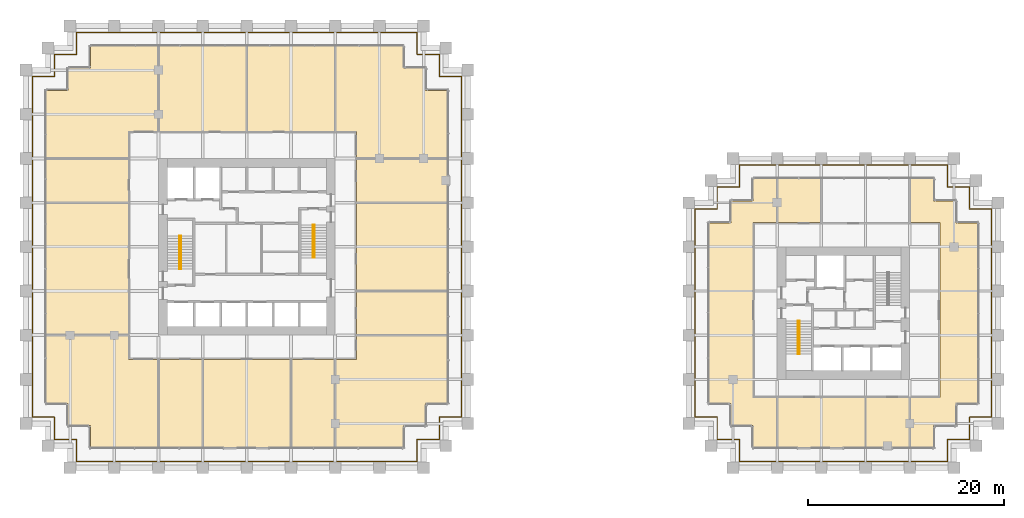
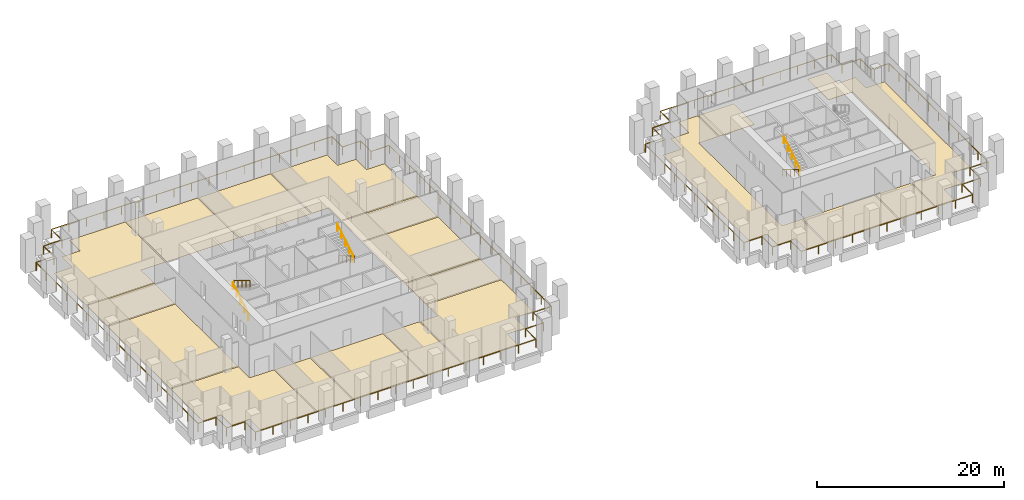
# One storey, part 35 of 36: 19 coverings, 8 railings.
"""IFC4 building model written with IfcOpenShell, lengths in metres."""

from ifc_helpers import new_model, si_unit, direction, frame, origin, origin_2d, place, context, subcontext, project, spatial, polyline, circle, outline, extrude, source, transform, mapped, material, layer, layer_set, type_object, element, save


model = new_model("IFC4")

# Units and contexts
model_context = context("Model", 3, precision=1e-05, world=origin(), true_north=direction((0.0, 1.0)))
body_context = subcontext(model_context, "Body", "Model", "MODEL_VIEW")
ifc_project = project(units=[si_unit("LENGTHUNIT", "METRE"), si_unit("AREAUNIT", "SQUARE_METRE"), si_unit("VOLUMEUNIT", "CUBIC_METRE"), si_unit("PLANEANGLEUNIT", "RADIAN"), si_unit("MASSUNIT", "GRAM", prefix="KILO")], contexts=[model_context])

# Site, building, storey
site_placement = place(None, origin())
site = spatial("IfcSite", under=ifc_project, at=site_placement, CompositionType="ELEMENT")
building_placement = place(site_placement, origin())
building = spatial("IfcBuilding", under=site, at=building_placement, Name="Altepetl Exchange Towers", CompositionType="ELEMENT")
storey_placement = place(building_placement, frame((0.0, 0.0, 29.800048828125)))
storey = spatial("IfcBuildingStorey", under=building, at=storey_placement, Name="L06", CompositionType="ELEMENT", Elevation=29.800048828125)

# Coverings
ifc_material_1 = material(Name="Carpet tile")
ifc_layer_1 = layer(ifc_material_1, 0.02001953125)
ifc_layer_set_1 = layer_set([ifc_layer_1], Name="Carpet tile")
covering_type_1 = type_object("IfcCoveringType", Name="Carpet tile floor", PredefinedType="FLOORING", material=ifc_layer_set_1)
covering_1_placement = place(storey_placement, origin())
element("IfcCovering", 1, at=covering_1_placement, inside=storey, type_object=covering_type_1, Name="Quiet room floor finish A06.03", PredefinedType="FLOORING", context=body_context, shape_type="SweptSolid", body=[
    extrude(outline(polyline([(44.9375, 29.0625), (44.9375, 38.03759765625), (40.5625, 38.03759765625), (40.5625, 29.0625), (44.9375, 29.0625)])), origin(), (0.0, 0.0, 1.0), 0.02001953125),
])
covering_2_placement = place(storey_placement, origin())
element("IfcCovering", 2, at=covering_2_placement, inside=storey, type_object=covering_type_1, Name="Pantry floor finish A06.05", PredefinedType="FLOORING", context=body_context, shape_type="SweptSolid", body=[
    extrude(outline(polyline([(58.4375, 29.0625), (58.4375, 38.03759765625), (54.0625, 38.03759765625), (54.0625, 29.0625), (58.4375, 29.0625)])), origin(), (0.0, 0.0, 1.0), 0.02001953125),
])
covering_3_placement = place(storey_placement, origin())
element("IfcCovering", 3, at=covering_3_placement, inside=storey, type_object=covering_type_1, Name="Open office floor finish A06.06", PredefinedType="FLOORING", context=body_context, shape_type="SweptSolid", body=[
    extrude(outline(polyline([(58.5625, 29.0625), (65.4375, 29.0625), (65.4375, 31.3125), (67.6875, 31.3125), (67.6875, 33.5625), (69.9375, 33.5625), (69.9375, 40.4375), (60.66259765625, 40.4375), (60.66259765625, 38.03759765625), (58.5625, 38.03759765625), (58.5625, 29.0625)])), origin(), (0.0, 0.0, 1.0), 0.02001953125),
])
covering_4_placement = place(storey_placement, origin())
element("IfcCovering", 4, at=covering_4_placement, inside=storey, type_object=covering_type_1, Name="Interview room floor finish A06.07", PredefinedType="FLOORING", context=body_context, shape_type="SweptSolid", body=[
    extrude(outline(polyline([(69.9375, 44.9375), (60.66259765625, 44.9375), (60.66259765625, 40.5625), (69.9375, 40.5625), (69.9375, 44.9375)])), origin(), (0.0, 0.0, 1.0), 0.02001953125),
])
covering_5_placement = place(storey_placement, origin())
element("IfcCovering", 5, at=covering_5_placement, inside=storey, type_object=covering_type_1, Name="Open office floor finish A06.11", PredefinedType="FLOORING", context=body_context, shape_type="SweptSolid", body=[
    extrude(outline(polyline([(49.5625, 69.9375), (49.5625, 61.262451171875), (58.4375, 61.262451171875), (58.4375, 69.9375), (49.5625, 69.9375)])), origin(), (0.0, 0.0, 1.0), 0.02001953125),
])
covering_6_placement = place(storey_placement, origin())
element("IfcCovering", 6, at=covering_6_placement, inside=storey, type_object=covering_type_1, Name="Meeting room floor finish A06.12", PredefinedType="FLOORING", context=body_context, shape_type="SweptSolid", body=[
    extrude(outline(polyline([(40.5625, 69.9375), (40.5625, 61.262451171875), (49.4375, 61.262451171875), (49.4375, 69.9375), (40.5625, 69.9375)])), origin(), (0.0, 0.0, 1.0), 0.02001953125),
])
covering_7_placement = place(storey_placement, origin())
element("IfcCovering", 7, at=covering_7_placement, inside=storey, type_object=covering_type_1, Name="Open office floor finish A06.13", PredefinedType="FLOORING", context=body_context, shape_type="SweptSolid", body=[
    extrude(outline(polyline([(33.5625, 67.6875), (31.3125, 67.6875), (31.3125, 65.4375), (29.0625, 65.4375), (29.0625, 58.5625), (37.4375, 58.5625), (37.4375, 61.262451171875), (40.4375, 61.262451171875), (40.4375, 69.9375), (33.5625, 69.9375), (33.5625, 67.6875)])), origin(), (0.0, 0.0, 1.0), 0.02001953125),
])
covering_8_placement = place(storey_placement, origin())
element("IfcCovering", 8, at=covering_8_placement, inside=storey, type_object=covering_type_1, Name="Open office floor finish B06.01", PredefinedType="FLOORING", context=body_context, shape_type="SweptSolid", body=[
    extrude(outline(polyline([(101.0625, 54.1875), (98.8125, 54.1875), (98.8125, 51.9375), (96.5625, 51.9375), (96.5625, 33.5625), (98.8125, 33.5625), (98.8125, 31.3125), (101.0625, 31.3125), (101.0625, 29.0625), (103.4375, 29.0625), (103.4375, 34.137451171875), (101.03759765625, 34.137451171875), (101.03759765625, 51.96240234375), (103.4375, 51.96240234375), (103.4375, 56.4375), (101.0625, 56.4375), (101.0625, 54.1875)])), origin(), (0.0, 0.0, 1.0), 0.02001953125),
])
covering_9_placement = place(storey_placement, origin())
element("IfcCovering", 9, at=covering_9_placement, inside=storey, type_object=covering_type_1, Name="Quiet room floor finish B06.03", PredefinedType="FLOORING", context=body_context, shape_type="SweptSolid", body=[
    extrude(outline(polyline([(116.9375, 29.0625), (116.9375, 34.137451171875), (112.5625, 34.137451171875), (112.5625, 29.0625), (116.9375, 29.0625)])), origin(), (0.0, 0.0, 1.0), 0.02001953125),
])
ifc_material_2 = material(Name="Calcium sulphate access floor panel")
ifc_layer_2 = layer(ifc_material_2, 0.0400390625)
ifc_layer_set_2 = layer_set([ifc_layer_2], Name="Calcium sulphate access floor panel")
covering_type_2 = type_object("IfcCoveringType", Name="Raised access floor panels", PredefinedType="FLOORING", material=ifc_layer_set_2)
covering_10_placement = place(storey_placement, origin())
element("IfcCovering", 10, at=covering_10_placement, inside=storey, type_object=covering_type_2, Name="Trading office floor finish A06.01", PredefinedType="FLOORING", context=body_context, shape_type="SweptSolid", body=[
    extrude(outline(polyline([(29.0625, 40.5625), (37.4375, 40.5625), (37.4375, 53.9375), (29.0625, 53.9375), (29.0625, 40.5625)])), origin(), (0.0, 0.0, 1.0), 0.0400390625),
])
covering_11_placement = place(storey_placement, origin())
element("IfcCovering", 11, at=covering_11_placement, inside=storey, type_object=covering_type_2, Name="Trading office floor finish A06.02", PredefinedType="FLOORING", context=body_context, shape_type="SweptSolid", body=[
    extrude(outline(polyline([(40.4375, 29.0625), (40.4375, 38.03759765625), (37.4375, 38.03759765625), (37.4375, 40.4375), (29.0625, 40.4375), (29.0625, 33.5625), (31.3125, 33.5625), (31.3125, 31.3125), (33.5625, 31.3125), (33.5625, 29.0625), (40.4375, 29.0625)])), origin(), (0.0, 0.0, 1.0), 0.0400390625),
])
covering_12_placement = place(storey_placement, origin())
element("IfcCovering", 12, at=covering_12_placement, inside=storey, type_object=covering_type_2, Name="Trading office floor finish A06.04", PredefinedType="FLOORING", context=body_context, shape_type="SweptSolid", body=[
    extrude(outline(polyline([(53.9375, 29.0625), (53.9375, 38.03759765625), (45.0625, 38.03759765625), (45.0625, 29.0625), (53.9375, 29.0625)])), origin(), (0.0, 0.0, 1.0), 0.0400390625),
])
covering_13_placement = place(storey_placement, origin())
element("IfcCovering", 13, at=covering_13_placement, inside=storey, type_object=covering_type_2, Name="Broker office floor finish A06.08", PredefinedType="FLOORING", context=body_context, shape_type="SweptSolid", body=[
    extrude(outline(polyline([(69.9375, 53.9375), (60.66259765625, 53.9375), (60.66259765625, 45.0625), (69.9375, 45.0625), (69.9375, 53.9375)])), origin(), (0.0, 0.0, 1.0), 0.0400390625),
])
covering_14_placement = place(storey_placement, origin())
element("IfcCovering", 14, at=covering_14_placement, inside=storey, type_object=covering_type_2, Name="Data room floor finish A06.09", PredefinedType="FLOORING", context=body_context, shape_type="SweptSolid", body=[
    extrude(outline(polyline([(69.9375, 58.4375), (60.66259765625, 58.4375), (60.66259765625, 54.0625), (69.9375, 54.0625), (69.9375, 58.4375)])), origin(), (0.0, 0.0, 1.0), 0.0400390625),
])
covering_15_placement = place(storey_placement, origin())
element("IfcCovering", 15, at=covering_15_placement, inside=storey, type_object=covering_type_2, Name="Broker office floor finish A06.10", PredefinedType="FLOORING", context=body_context, shape_type="SweptSolid", body=[
    extrude(outline(polyline([(58.5625, 69.9375), (58.5625, 61.262451171875), (60.66259765625, 61.262451171875), (60.66259765625, 58.5625), (69.9375, 58.5625), (69.9375, 65.4375), (67.6875, 65.4375), (67.6875, 67.6875), (65.4375, 67.6875), (65.4375, 69.9375), (58.5625, 69.9375)])), origin(), (0.0, 0.0, 1.0), 0.0400390625),
])
covering_16_placement = place(storey_placement, origin())
element("IfcCovering", 16, at=covering_16_placement, inside=storey, type_object=covering_type_2, Name="Data room floor finish A06.14", PredefinedType="FLOORING", context=body_context, shape_type="SweptSolid", body=[
    extrude(outline(polyline([(29.0625, 54.0625), (37.4375, 54.0625), (37.4375, 58.4375), (29.0625, 58.4375), (29.0625, 54.0625)])), origin(), (0.0, 0.0, 1.0), 0.0400390625),
])
covering_17_placement = place(storey_placement, origin())
element("IfcCovering", 17, at=covering_17_placement, inside=storey, type_object=covering_type_2, Name="Trading office floor finish B06.02", PredefinedType="FLOORING", context=body_context, shape_type="SweptSolid", body=[
    extrude(outline(polyline([(103.5625, 34.137451171875), (103.5625, 29.0625), (112.4375, 29.0625), (112.4375, 34.137451171875), (103.5625, 34.137451171875)])), origin(), (0.0, 0.0, 1.0), 0.0400390625),
])
covering_18_placement = place(storey_placement, origin())
element("IfcCovering", 18, at=covering_18_placement, inside=storey, type_object=covering_type_2, Name="Broker office floor finish B06.04", PredefinedType="FLOORING", context=body_context, shape_type="SweptSolid", body=[
    extrude(outline(polyline([(117.0625, 56.4375), (117.0625, 51.96240234375), (120.0625, 51.96240234375), (120.0625, 34.137451171875), (117.0625, 34.137451171875), (117.0625, 29.0625), (119.4375, 29.0625), (119.4375, 31.3125), (121.6875, 31.3125), (121.6875, 33.5625), (123.9375, 33.5625), (123.9375, 51.9375), (121.6875, 51.9375), (121.6875, 54.1875), (119.4375, 54.1875), (119.4375, 56.4375), (117.0625, 56.4375)])), origin(), (0.0, 0.0, 1.0), 0.0400390625),
])
covering_19_placement = place(storey_placement, origin())
element("IfcCovering", 19, at=covering_19_placement, inside=storey, type_object=covering_type_2, Name="Data room floor finish B06.06", PredefinedType="FLOORING", context=body_context, shape_type="SweptSolid", body=[
    extrude(outline(polyline([(103.5625, 56.4375), (103.5625, 51.96240234375), (107.9375, 51.96240234375), (107.9375, 56.4375), (103.5625, 56.4375)])), origin(), (0.0, 0.0, 1.0), 0.0400390625),
])

# Railings
ifc_material_3 = material(Name="Steel S355", Category="steel")
railing_type_1 = type_object("IfcRailingType", Name="Guard 1100 steel posts and rail", PredefinedType="GUARDRAIL", material=ifc_material_3)
shared_shape_1 = source(origin(), body_context, "Body", "SweptSolid", [
    extrude(circle(Radius=0.02099609375, at=origin_2d()), origin(), (0.0, 0.0, 1.0), 1.052001953125),
])
railing_1_placement = place(storey_placement, frame((27.64990234375, 66.85009765625, 0.0)))
element("IfcRailing", 20, at=railing_1_placement, inside=storey, type_object=railing_type_1, Name="Loggia guard", PredefinedType="GUARDRAIL", context=body_context, shape_type="SweptSolid", body=[
    extrude(circle(Radius=0.02392578125, at=origin_2d()), frame((0.0, 0.0, 1.076171875), z_axis=(0.0, -1.0, 0.0), x_axis=(1.0, 0.0, 0.0)), (0.0, 0.0, 1.0), 34.7001953125),
    extrude(circle(Radius=0.02392578125, at=origin_2d()), frame((0.0, -34.7001953125, 1.076171875), z_axis=(1.0, 0.0, 0.0), x_axis=(0.0, 1.0, 0.0)), (0.0, 0.0, 1.0), 2.25),
    extrude(circle(Radius=0.02392578125, at=origin_2d()), frame((2.25, -34.7001953125, 1.076171875), z_axis=(0.0, -1.0, 0.0), x_axis=(1.0, 0.0, 0.0)), (0.0, 0.0, 1.0), 2.25),
    extrude(circle(Radius=0.02392578125, at=origin_2d()), frame((2.25, -36.9501953125, 1.076171875), z_axis=(1.0, 0.0, 0.0), x_axis=(0.0, 1.0, 0.0)), (0.0, 0.0, 1.0), 2.25),
    extrude(circle(Radius=0.02392578125, at=origin_2d()), frame((4.5, -36.9501953125, 1.076171875), z_axis=(0.0, -1.0, 0.0), x_axis=(1.0, 0.0, 0.0)), (0.0, 0.0, 1.0), 2.25),
    extrude(circle(Radius=0.02392578125, at=origin_2d()), frame((4.5, -39.2001953125, 1.076171875), z_axis=(1.0, 0.0, 0.0), x_axis=(0.0, 1.0, 0.0)), (0.0, 0.0, 1.0), 34.7001953125),
    extrude(circle(Radius=0.02392578125, at=origin_2d()), frame((39.2001953125, -39.2001953125, 1.076171875), z_axis=(0.0, 1.0, 0.0), x_axis=(-1.0, 0.0, 0.0)), (0.0, 0.0, 1.0), 2.25),
    extrude(circle(Radius=0.02392578125, at=origin_2d()), frame((39.2001953125, -36.9501953125, 1.076171875), z_axis=(1.0, 0.0, 0.0), x_axis=(0.0, 1.0, 0.0)), (0.0, 0.0, 1.0), 2.25),
    extrude(circle(Radius=0.02392578125, at=origin_2d()), frame((41.4501953125, -36.9501953125, 1.076171875), z_axis=(0.0, 1.0, 0.0), x_axis=(-1.0, 0.0, 0.0)), (0.0, 0.0, 1.0), 2.25),
    extrude(circle(Radius=0.02392578125, at=origin_2d()), frame((41.4501953125, -34.7001953125, 1.076171875), z_axis=(1.0, 0.0, 0.0), x_axis=(0.0, 1.0, 0.0)), (0.0, 0.0, 1.0), 2.25),
    extrude(circle(Radius=0.02392578125, at=origin_2d()), frame((43.7001953125, -34.7001953125, 1.076171875), z_axis=(0.0, 1.0, 0.0), x_axis=(-1.0, 0.0, 0.0)), (0.0, 0.0, 1.0), 34.7001953125),
    extrude(circle(Radius=0.02392578125, at=origin_2d()), frame((43.7001953125, 0.0, 1.076171875), z_axis=(-1.0, 0.0, 0.0), x_axis=(0.0, -1.0, 0.0)), (0.0, 0.0, 1.0), 2.25),
    extrude(circle(Radius=0.02392578125, at=origin_2d()), frame((41.4501953125, 0.0, 1.076171875), z_axis=(0.0, 1.0, 0.0), x_axis=(-1.0, 0.0, 0.0)), (0.0, 0.0, 1.0), 2.25),
    extrude(circle(Radius=0.02392578125, at=origin_2d()), frame((41.4501953125, 2.25, 1.076171875), z_axis=(-1.0, 0.0, 0.0), x_axis=(0.0, -1.0, 0.0)), (0.0, 0.0, 1.0), 2.25),
    extrude(circle(Radius=0.02392578125, at=origin_2d()), frame((39.2001953125, 2.25, 1.076171875), z_axis=(0.0, 1.0, 0.0), x_axis=(-1.0, 0.0, 0.0)), (0.0, 0.0, 1.0), 2.25),
    extrude(circle(Radius=0.02392578125, at=origin_2d()), frame((39.2001953125, 4.5, 1.076171875), z_axis=(-1.0, 0.0, 0.0), x_axis=(0.0, -1.0, 0.0)), (0.0, 0.0, 1.0), 34.7001953125),
    extrude(circle(Radius=0.02392578125, at=origin_2d()), frame((4.5, 4.5, 1.076171875), z_axis=(0.0, -1.0, 0.0), x_axis=(1.0, 0.0, 0.0)), (0.0, 0.0, 1.0), 2.25),
    extrude(circle(Radius=0.02392578125, at=origin_2d()), frame((4.5, 2.25, 1.076171875), z_axis=(-1.0, 0.0, 0.0), x_axis=(0.0, -1.0, 0.0)), (0.0, 0.0, 1.0), 2.25),
    extrude(circle(Radius=0.02392578125, at=origin_2d()), frame((2.25, 2.25, 1.076171875), z_axis=(0.0, -1.0, 0.0), x_axis=(1.0, 0.0, 0.0)), (0.0, 0.0, 1.0), 2.25),
    extrude(circle(Radius=0.02392578125, at=origin_2d()), frame((2.25, 0.0, 1.076171875), z_axis=(-1.0, 0.0, 0.0), x_axis=(0.0, -1.0, 0.0)), (0.0, 0.0, 1.0), 2.14990234375),
    mapped(shared_shape_1, transform((0.0, 0.0, 0.0))),
    mapped(shared_shape_1, transform((0.0, -2.168701171875, 0.0))),
    mapped(shared_shape_1, transform((0.0, -4.33740234375, 0.0))),
    mapped(shared_shape_1, transform((0.0, -6.50634765625, 0.0))),
    mapped(shared_shape_1, transform((0.0, -8.675048828125, 0.0))),
    mapped(shared_shape_1, transform((0.0, -10.84375, 0.0))),
    mapped(shared_shape_1, transform((0.0, -13.0126953125, 0.0))),
    mapped(shared_shape_1, transform((0.0, -15.181396484375, 0.0))),
    mapped(shared_shape_1, transform((0.0, -17.35009765625, 0.0))),
    mapped(shared_shape_1, transform((0.0, -19.518798828125, 0.0))),
    mapped(shared_shape_1, transform((0.0, -21.6875, 0.0))),
    mapped(shared_shape_1, transform((0.0, -23.8564453125, 0.0))),
    mapped(shared_shape_1, transform((0.0, -26.025146484375, 0.0))),
    mapped(shared_shape_1, transform((0.0, -28.19384765625, 0.0))),
    mapped(shared_shape_1, transform((0.0, -30.36279296875, 0.0))),
    mapped(shared_shape_1, transform((0.0, -32.531494140625, 0.0))),
    mapped(shared_shape_1, transform((0.0, -34.7001953125, 0.0))),
    mapped(shared_shape_1, transform((2.25, -34.7001953125, 0.0))),
    mapped(shared_shape_1, transform((2.25, -36.9501953125, 0.0))),
    mapped(shared_shape_1, transform((4.5, -36.9501953125, 0.0))),
    mapped(shared_shape_1, transform((4.5, -39.2001953125, 0.0))),
    mapped(shared_shape_1, transform((6.668701171875, -39.2001953125, 0.0))),
    mapped(shared_shape_1, transform((8.83740234375, -39.2001953125, 0.0))),
    mapped(shared_shape_1, transform((11.00634765625, -39.2001953125, 0.0))),
    mapped(shared_shape_1, transform((13.175048828125, -39.2001953125, 0.0))),
    mapped(shared_shape_1, transform((15.34375, -39.2001953125, 0.0))),
    mapped(shared_shape_1, transform((17.5126953125, -39.2001953125, 0.0))),
    mapped(shared_shape_1, transform((19.681396484375, -39.2001953125, 0.0))),
    mapped(shared_shape_1, transform((21.85009765625, -39.2001953125, 0.0))),
    mapped(shared_shape_1, transform((24.018798828125, -39.2001953125, 0.0))),
    mapped(shared_shape_1, transform((26.1875, -39.2001953125, 0.0))),
    mapped(shared_shape_1, transform((28.3564453125, -39.2001953125, 0.0))),
    mapped(shared_shape_1, transform((30.525146484375, -39.2001953125, 0.0))),
    mapped(shared_shape_1, transform((32.69384765625, -39.2001953125, 0.0))),
    mapped(shared_shape_1, transform((34.86279296875, -39.2001953125, 0.0))),
    mapped(shared_shape_1, transform((37.031494140625, -39.2001953125, 0.0))),
    mapped(shared_shape_1, transform((39.2001953125, -39.2001953125, 0.0))),
    mapped(shared_shape_1, transform((39.2001953125, -36.9501953125, 0.0))),
    mapped(shared_shape_1, transform((41.4501953125, -36.9501953125, 0.0))),
    mapped(shared_shape_1, transform((41.4501953125, -34.7001953125, 0.0))),
    mapped(shared_shape_1, transform((43.7001953125, -34.7001953125, 0.0))),
    mapped(shared_shape_1, transform((43.7001953125, -32.531494140625, 0.0))),
    mapped(shared_shape_1, transform((43.7001953125, -30.36279296875, 0.0))),
    mapped(shared_shape_1, transform((43.7001953125, -28.19384765625, 0.0))),
    mapped(shared_shape_1, transform((43.7001953125, -26.025146484375, 0.0))),
    mapped(shared_shape_1, transform((43.7001953125, -23.8564453125, 0.0))),
    mapped(shared_shape_1, transform((43.7001953125, -21.6875, 0.0))),
    mapped(shared_shape_1, transform((43.7001953125, -19.518798828125, 0.0))),
    mapped(shared_shape_1, transform((43.7001953125, -17.35009765625, 0.0))),
    mapped(shared_shape_1, transform((43.7001953125, -15.181396484375, 0.0))),
    mapped(shared_shape_1, transform((43.7001953125, -13.0126953125, 0.0))),
    mapped(shared_shape_1, transform((43.7001953125, -10.84375, 0.0))),
    mapped(shared_shape_1, transform((43.7001953125, -8.675048828125, 0.0))),
    mapped(shared_shape_1, transform((43.7001953125, -6.50634765625, 0.0))),
    mapped(shared_shape_1, transform((43.7001953125, -4.33740234375, 0.0))),
    mapped(shared_shape_1, transform((43.7001953125, -2.168701171875, 0.0))),
    mapped(shared_shape_1, transform((43.7001953125, 0.0, 0.0))),
    mapped(shared_shape_1, transform((41.4501953125, 0.0, 0.0))),
    mapped(shared_shape_1, transform((41.4501953125, 2.25, 0.0))),
    mapped(shared_shape_1, transform((39.2001953125, 2.25, 0.0))),
    mapped(shared_shape_1, transform((39.2001953125, 4.5, 0.0))),
    mapped(shared_shape_1, transform((37.031494140625, 4.5, 0.0))),
    mapped(shared_shape_1, transform((34.86279296875, 4.5, 0.0))),
    mapped(shared_shape_1, transform((32.69384765625, 4.5, 0.0))),
    mapped(shared_shape_1, transform((30.525146484375, 4.5, 0.0))),
    mapped(shared_shape_1, transform((28.3564453125, 4.5, 0.0))),
    mapped(shared_shape_1, transform((26.1875, 4.5, 0.0))),
    mapped(shared_shape_1, transform((24.018798828125, 4.5, 0.0))),
    mapped(shared_shape_1, transform((21.85009765625, 4.5, 0.0))),
    mapped(shared_shape_1, transform((19.681396484375, 4.5, 0.0))),
    mapped(shared_shape_1, transform((17.5126953125, 4.5, 0.0))),
    mapped(shared_shape_1, transform((15.34375, 4.5, 0.0))),
    mapped(shared_shape_1, transform((13.175048828125, 4.5, 0.0))),
    mapped(shared_shape_1, transform((11.00634765625, 4.5, 0.0))),
    mapped(shared_shape_1, transform((8.83740234375, 4.5, 0.0))),
    mapped(shared_shape_1, transform((6.668701171875, 4.5, 0.0))),
    mapped(shared_shape_1, transform((4.5, 4.5, 0.0))),
    mapped(shared_shape_1, transform((4.5, 2.25, 0.0))),
    mapped(shared_shape_1, transform((2.25, 2.25, 0.0))),
    mapped(shared_shape_1, transform((2.25, 0.0, 0.0))),
    mapped(shared_shape_1, transform((0.10009765625, 0.0, 0.0))),
])
railing_2_placement = place(storey_placement, frame((95.14990234375, 53.35009765625, 0.0)))
element("IfcRailing", 21, at=railing_2_placement, inside=storey, type_object=railing_type_1, Name="Loggia guard", PredefinedType="GUARDRAIL", context=body_context, shape_type="SweptSolid", body=[
    extrude(circle(Radius=0.02392578125, at=origin_2d()), frame((0.0, 0.0, 1.076171875), z_axis=(0.0, -1.0, 0.0), x_axis=(1.0, 0.0, 0.0)), (0.0, 0.0, 1.0), 21.2001953125),
    extrude(circle(Radius=0.02392578125, at=origin_2d()), frame((0.0, -21.2001953125, 1.076171875), z_axis=(1.0, 0.0, 0.0), x_axis=(0.0, 1.0, 0.0)), (0.0, 0.0, 1.0), 2.25),
    extrude(circle(Radius=0.02392578125, at=origin_2d()), frame((2.25, -21.2001953125, 1.076171875), z_axis=(0.0, -1.0, 0.0), x_axis=(1.0, 0.0, 0.0)), (0.0, 0.0, 1.0), 2.25),
    extrude(circle(Radius=0.02392578125, at=origin_2d()), frame((2.25, -23.4501953125, 1.076171875), z_axis=(1.0, 0.0, 0.0), x_axis=(0.0, 1.0, 0.0)), (0.0, 0.0, 1.0), 2.25),
    extrude(circle(Radius=0.02392578125, at=origin_2d()), frame((4.5, -23.4501953125, 1.076171875), z_axis=(0.0, -1.0, 0.0), x_axis=(1.0, 0.0, 0.0)), (0.0, 0.0, 1.0), 2.25),
    extrude(circle(Radius=0.02392578125, at=origin_2d()), frame((4.5, -25.7001953125, 1.076171875), z_axis=(1.0, 0.0, 0.0), x_axis=(0.0, 1.0, 0.0)), (0.0, 0.0, 1.0), 21.2001953125),
    extrude(circle(Radius=0.02392578125, at=origin_2d()), frame((25.7001953125, -25.7001953125, 1.076171875), z_axis=(0.0, 1.0, 0.0), x_axis=(-1.0, 0.0, 0.0)), (0.0, 0.0, 1.0), 2.25),
    extrude(circle(Radius=0.02392578125, at=origin_2d()), frame((25.7001953125, -23.4501953125, 1.076171875), z_axis=(1.0, 0.0, 0.0), x_axis=(0.0, 1.0, 0.0)), (0.0, 0.0, 1.0), 2.25),
    extrude(circle(Radius=0.02392578125, at=origin_2d()), frame((27.9501953125, -23.4501953125, 1.076171875), z_axis=(0.0, 1.0, 0.0), x_axis=(-1.0, 0.0, 0.0)), (0.0, 0.0, 1.0), 2.25),
    extrude(circle(Radius=0.02392578125, at=origin_2d()), frame((27.9501953125, -21.2001953125, 1.076171875), z_axis=(1.0, 0.0, 0.0), x_axis=(0.0, 1.0, 0.0)), (0.0, 0.0, 1.0), 2.25),
    extrude(circle(Radius=0.02392578125, at=origin_2d()), frame((30.2001953125, -21.2001953125, 1.076171875), z_axis=(0.0, 1.0, 0.0), x_axis=(-1.0, 0.0, 0.0)), (0.0, 0.0, 1.0), 21.2001953125),
    extrude(circle(Radius=0.02392578125, at=origin_2d()), frame((30.2001953125, 0.0, 1.076171875), z_axis=(-1.0, 0.0, 0.0), x_axis=(0.0, -1.0, 0.0)), (0.0, 0.0, 1.0), 2.25),
    extrude(circle(Radius=0.02392578125, at=origin_2d()), frame((27.9501953125, 0.0, 1.076171875), z_axis=(0.0, 1.0, 0.0), x_axis=(-1.0, 0.0, 0.0)), (0.0, 0.0, 1.0), 2.25),
    extrude(circle(Radius=0.02392578125, at=origin_2d()), frame((27.9501953125, 2.25, 1.076171875), z_axis=(-1.0, 0.0, 0.0), x_axis=(0.0, -1.0, 0.0)), (0.0, 0.0, 1.0), 2.25),
    extrude(circle(Radius=0.02392578125, at=origin_2d()), frame((25.7001953125, 2.25, 1.076171875), z_axis=(0.0, 1.0, 0.0), x_axis=(-1.0, 0.0, 0.0)), (0.0, 0.0, 1.0), 2.25),
    extrude(circle(Radius=0.02392578125, at=origin_2d()), frame((25.7001953125, 4.5, 1.076171875), z_axis=(-1.0, 0.0, 0.0), x_axis=(0.0, -1.0, 0.0)), (0.0, 0.0, 1.0), 21.2001953125),
    extrude(circle(Radius=0.02392578125, at=origin_2d()), frame((4.5, 4.5, 1.076171875), z_axis=(0.0, -1.0, 0.0), x_axis=(1.0, 0.0, 0.0)), (0.0, 0.0, 1.0), 2.25),
    extrude(circle(Radius=0.02392578125, at=origin_2d()), frame((4.5, 2.25, 1.076171875), z_axis=(-1.0, 0.0, 0.0), x_axis=(0.0, -1.0, 0.0)), (0.0, 0.0, 1.0), 2.25),
    extrude(circle(Radius=0.02392578125, at=origin_2d()), frame((2.25, 2.25, 1.076171875), z_axis=(0.0, -1.0, 0.0), x_axis=(1.0, 0.0, 0.0)), (0.0, 0.0, 1.0), 2.25),
    extrude(circle(Radius=0.02392578125, at=origin_2d()), frame((2.25, 0.0, 1.076171875), z_axis=(-1.0, 0.0, 0.0), x_axis=(0.0, -1.0, 0.0)), (0.0, 0.0, 1.0), 2.14990234375),
    mapped(shared_shape_1, transform((0.0, 0.0, 0.0))),
    mapped(shared_shape_1, transform((0.0, -2.1201171875, 0.0))),
    mapped(shared_shape_1, transform((0.0, -4.239990234375, 0.0))),
    mapped(shared_shape_1, transform((0.0, -6.360107421875, 0.0))),
    mapped(shared_shape_1, transform((0.0, -8.47998046875, 0.0))),
    mapped(shared_shape_1, transform((0.0, -10.60009765625, 0.0))),
    mapped(shared_shape_1, transform((0.0, -12.72021484375, 0.0))),
    mapped(shared_shape_1, transform((0.0, -14.840087890625, 0.0))),
    mapped(shared_shape_1, transform((0.0, -16.960205078125, 0.0))),
    mapped(shared_shape_1, transform((0.0, -19.080078125, 0.0))),
    mapped(shared_shape_1, transform((0.0, -21.2001953125, 0.0))),
    mapped(shared_shape_1, transform((2.25, -21.2001953125, 0.0))),
    mapped(shared_shape_1, transform((2.25, -23.4501953125, 0.0))),
    mapped(shared_shape_1, transform((4.5, -23.4501953125, 0.0))),
    mapped(shared_shape_1, transform((4.5, -25.7001953125, 0.0))),
    mapped(shared_shape_1, transform((6.6201171875, -25.7001953125, 0.0))),
    mapped(shared_shape_1, transform((8.739990234375, -25.7001953125, 0.0))),
    mapped(shared_shape_1, transform((10.860107421875, -25.7001953125, 0.0))),
    mapped(shared_shape_1, transform((12.97998046875, -25.7001953125, 0.0))),
    mapped(shared_shape_1, transform((15.10009765625, -25.7001953125, 0.0))),
    mapped(shared_shape_1, transform((17.22021484375, -25.7001953125, 0.0))),
    mapped(shared_shape_1, transform((19.340087890625, -25.7001953125, 0.0))),
    mapped(shared_shape_1, transform((21.460205078125, -25.7001953125, 0.0))),
    mapped(shared_shape_1, transform((23.580078125, -25.7001953125, 0.0))),
    mapped(shared_shape_1, transform((25.7001953125, -25.7001953125, 0.0))),
    mapped(shared_shape_1, transform((25.7001953125, -23.4501953125, 0.0))),
    mapped(shared_shape_1, transform((27.9501953125, -23.4501953125, 0.0))),
    mapped(shared_shape_1, transform((27.9501953125, -21.2001953125, 0.0))),
    mapped(shared_shape_1, transform((30.2001953125, -21.2001953125, 0.0))),
    mapped(shared_shape_1, transform((30.2001953125, -19.080078125, 0.0))),
    mapped(shared_shape_1, transform((30.2001953125, -16.960205078125, 0.0))),
    mapped(shared_shape_1, transform((30.2001953125, -14.840087890625, 0.0))),
    mapped(shared_shape_1, transform((30.2001953125, -12.72021484375, 0.0))),
    mapped(shared_shape_1, transform((30.2001953125, -10.60009765625, 0.0))),
    mapped(shared_shape_1, transform((30.2001953125, -8.47998046875, 0.0))),
    mapped(shared_shape_1, transform((30.2001953125, -6.360107421875, 0.0))),
    mapped(shared_shape_1, transform((30.2001953125, -4.239990234375, 0.0))),
    mapped(shared_shape_1, transform((30.2001953125, -2.1201171875, 0.0))),
    mapped(shared_shape_1, transform((30.2001953125, 0.0, 0.0))),
    mapped(shared_shape_1, transform((27.9501953125, 0.0, 0.0))),
    mapped(shared_shape_1, transform((27.9501953125, 2.25, 0.0))),
    mapped(shared_shape_1, transform((25.7001953125, 2.25, 0.0))),
    mapped(shared_shape_1, transform((25.7001953125, 4.5, 0.0))),
    mapped(shared_shape_1, transform((23.580078125, 4.5, 0.0))),
    mapped(shared_shape_1, transform((21.460205078125, 4.5, 0.0))),
    mapped(shared_shape_1, transform((19.340087890625, 4.5, 0.0))),
    mapped(shared_shape_1, transform((17.22021484375, 4.5, 0.0))),
    mapped(shared_shape_1, transform((15.10009765625, 4.5, 0.0))),
    mapped(shared_shape_1, transform((12.97998046875, 4.5, 0.0))),
    mapped(shared_shape_1, transform((10.860107421875, 4.5, 0.0))),
    mapped(shared_shape_1, transform((8.739990234375, 4.5, 0.0))),
    mapped(shared_shape_1, transform((6.6201171875, 4.5, 0.0))),
    mapped(shared_shape_1, transform((4.5, 4.5, 0.0))),
    mapped(shared_shape_1, transform((4.5, 2.25, 0.0))),
    mapped(shared_shape_1, transform((2.25, 2.25, 0.0))),
    mapped(shared_shape_1, transform((2.25, 0.0, 0.0))),
    mapped(shared_shape_1, transform((0.10009765625, 0.0, 0.0))),
])
ifc_material_4 = material(Name="Steel", Category="steel")
railing_type_2 = type_object("IfcRailingType", Name="Stair handrail 50 steel tube", PredefinedType="HANDRAIL", material=ifc_material_4)
shared_shape_2 = source(origin(), body_context, "Body", "SweptSolid", [
    extrude(circle(Radius=0.02099609375, at=origin_2d()), origin(), (0.0, 0.0, 1.0), 0.851806640625),
])
railing_3_placement = place(storey_placement, frame((42.6201171875, 47.25, 0.169189453125)))
element("IfcRailing", 22, at=railing_3_placement, inside=storey, type_object=railing_type_2, Name="Stair handrail", PredefinedType="HANDRAIL", context=body_context, shape_type="SweptSolid", body=[
    extrude(circle(Radius=0.02392578125, at=origin_2d()), frame((0.0, 0.0, 0.8759765625), z_axis=(0.0, 0.855836976705, 0.517245656632), x_axis=(-1.0, 0.0, 0.0)), (0.0, 0.0, 1.0), 3.926025390625),
    mapped(shared_shape_2, transform((0.0, 0.0, 0.0))),
    mapped(shared_shape_2, transform((0.0, 0.840087890625, 0.5078125))),
    mapped(shared_shape_2, transform((0.0, 1.68017578125, 1.015380859375))),
    mapped(shared_shape_2, transform((0.0, 2.52001953125, 1.52294921875))),
    mapped(shared_shape_2, transform((0.0, 3.360107421875, 2.03076171875))),
])
for number, where, name in (
    (23, (42.780029296875, 50.610107421875, 2.369140625), "Stair handrail"),
    (24, (56.3798828125, 51.75, 0.169189453125), "Stair handrail"),
):
    element("IfcRailing", number, at=place(storey_placement, frame(where)), inside=storey, type_object=railing_type_2, Name=name, PredefinedType="HANDRAIL", context=body_context, shape_type="SweptSolid", body=[
        extrude(circle(Radius=0.02392578125, at=origin_2d()), frame((0.0, 0.0, 0.8759765625), z_axis=(0.0, -0.855836976705, 0.517245656632), x_axis=(1.0, 0.0, 0.0)), (0.0, 0.0, 1.0), 3.926025390625),
        mapped(shared_shape_2, transform((0.0, 0.0, 0.0))),
        mapped(shared_shape_2, transform((0.0, -0.840087890625, 0.5078125))),
        mapped(shared_shape_2, transform((0.0, -1.68017578125, 1.015380859375))),
        mapped(shared_shape_2, transform((0.0, -2.52001953125, 1.52294921875))),
        mapped(shared_shape_2, transform((0.0, -3.360107421875, 2.03076171875))),
    ])
railing_4_placement = place(storey_placement, frame((56.219970703125, 48.389892578125, 2.369140625)))
element("IfcRailing", 25, at=railing_4_placement, inside=storey, type_object=railing_type_2, Name="Stair handrail", PredefinedType="HANDRAIL", context=body_context, shape_type="SweptSolid", body=[
    extrude(circle(Radius=0.02392578125, at=origin_2d()), frame((0.0, 0.0, 0.8759765625), z_axis=(0.0, 0.855836976705, 0.517245656632), x_axis=(-1.0, 0.0, 0.0)), (0.0, 0.0, 1.0), 3.926025390625),
    mapped(shared_shape_2, transform((0.0, 0.0, 0.0))),
    mapped(shared_shape_2, transform((0.0, 0.840087890625, 0.5078125))),
    mapped(shared_shape_2, transform((0.0, 1.68017578125, 1.015380859375))),
    mapped(shared_shape_2, transform((0.0, 2.52001953125, 1.52294921875))),
    mapped(shared_shape_2, transform((0.0, 3.360107421875, 2.03076171875))),
])
railing_5_placement = place(storey_placement, frame((105.6201171875, 41.949951171875, 0.169189453125)))
element("IfcRailing", 26, at=railing_5_placement, inside=storey, type_object=railing_type_2, Name="Stair handrail", PredefinedType="HANDRAIL", context=body_context, shape_type="SweptSolid", body=[
    extrude(circle(Radius=0.02392578125, at=origin_2d()), frame((0.0, 0.0, 0.8759765625), z_axis=(0.0, -0.855820338506, 0.51727318527), x_axis=(1.0, 0.0, 0.0)), (0.0, 0.0, 1.0), 3.92578125),
    mapped(shared_shape_2, transform((0.0, 0.0, 0.0))),
    mapped(shared_shape_2, transform((0.0, -0.83984375, 0.5078125))),
    mapped(shared_shape_2, transform((0.0, -1.679931640625, 1.015380859375))),
    mapped(shared_shape_2, transform((0.0, -2.52001953125, 1.52294921875))),
    mapped(shared_shape_2, transform((0.0, -3.35986328125, 2.03076171875))),
])
railing_6_placement = place(storey_placement, frame((105.780029296875, 38.590087890625, 2.369140625)))
element("IfcRailing", 27, at=railing_6_placement, inside=storey, type_object=railing_type_2, Name="Stair handrail", PredefinedType="HANDRAIL", context=body_context, shape_type="SweptSolid", body=[
    extrude(circle(Radius=0.02392578125, at=origin_2d()), frame((0.0, 0.0, 0.8759765625), z_axis=(0.0, 0.855820338506, 0.51727318527), x_axis=(-1.0, 0.0, 0.0)), (0.0, 0.0, 1.0), 3.92578125),
    mapped(shared_shape_2, transform((0.0, 0.0, 0.0))),
    mapped(shared_shape_2, transform((0.0, 0.83984375, 0.5078125))),
    mapped(shared_shape_2, transform((0.0, 1.679931640625, 1.015380859375))),
    mapped(shared_shape_2, transform((0.0, 2.52001953125, 1.52294921875))),
    mapped(shared_shape_2, transform((0.0, 3.35986328125, 2.03076171875))),
])

save(model, "model.ifc")
